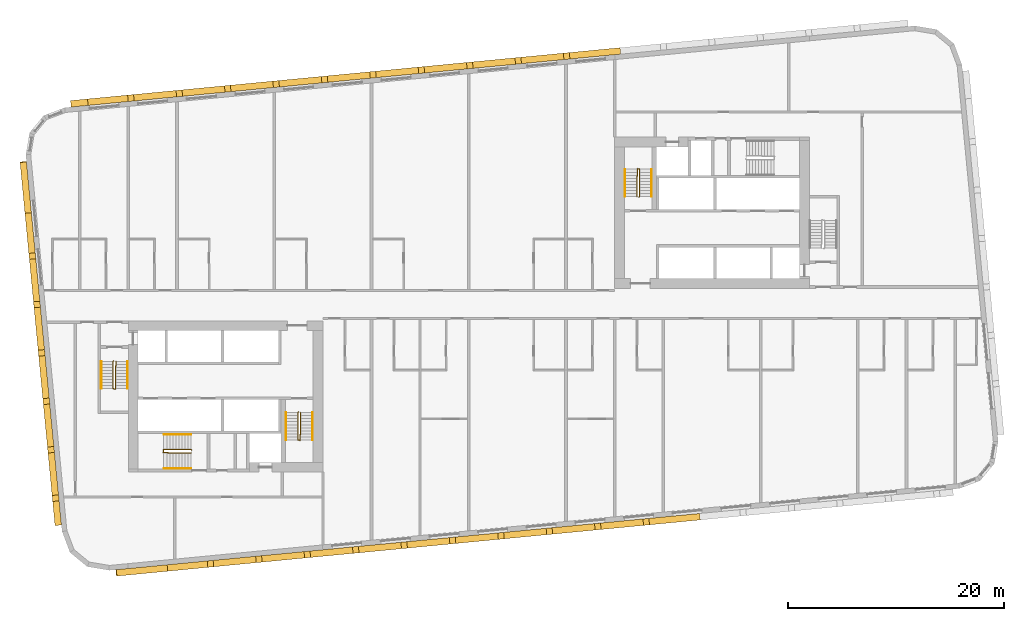
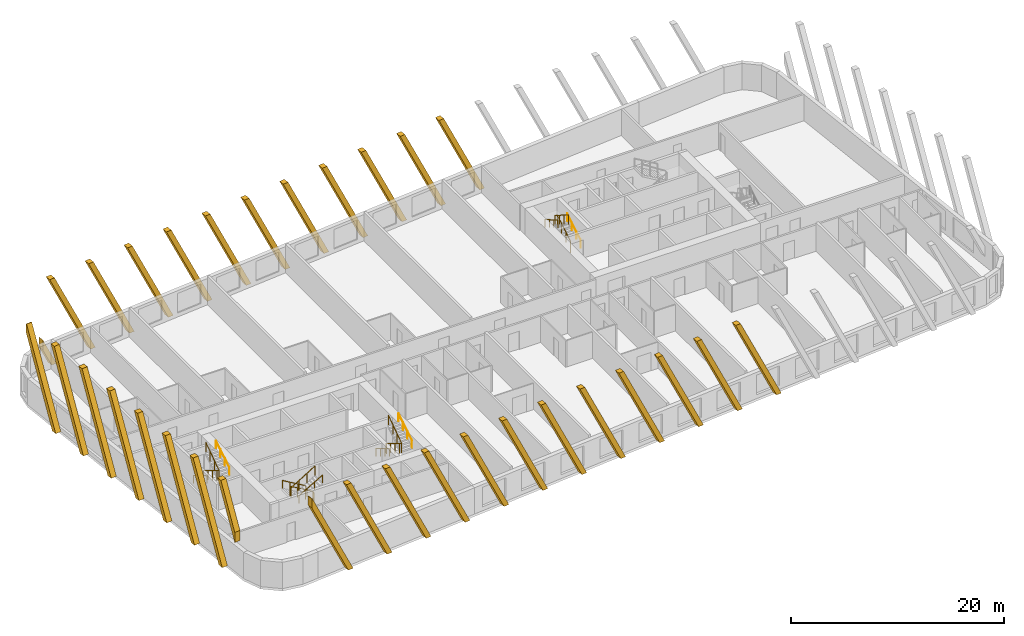
# One storey, part 12 of 13: 32 coverings, 12 railings.
"""IFC4 building model written with IfcOpenShell, lengths in metres."""

from ifc_helpers import new_model, si_unit, direction, frame, origin, origin_2d, place, context, subcontext, project, spatial, polyline, rectangle, circle, outline, extrude, material, material_profile, profile_set, type_object, element, save


model = new_model("IFC4")

# Units and contexts
model_context = context("Model", 3, precision=1e-05, world=origin(), true_north=direction((0.0, 1.0)))
body_context = subcontext(model_context, "Body", "Model", "MODEL_VIEW")
ifc_project = project(units=[si_unit("LENGTHUNIT", "METRE"), si_unit("AREAUNIT", "SQUARE_METRE"), si_unit("VOLUMEUNIT", "CUBIC_METRE"), si_unit("PLANEANGLEUNIT", "RADIAN"), si_unit("MASSUNIT", "GRAM", prefix="KILO")], contexts=[model_context])

# Site, building, storey
site_placement = place(None, origin())
site = spatial("IfcSite", under=ifc_project, at=site_placement, CompositionType="ELEMENT")
building_placement = place(site_placement, origin())
building = spatial("IfcBuilding", under=site, at=building_placement, Name="Kajstack Hotel Tower", CompositionType="ELEMENT")
storey_placement = place(building_placement, frame((0.0, 0.0, 110.800048828125)))
storey = spatial("IfcBuildingStorey", under=building, at=storey_placement, Name="L23", CompositionType="ELEMENT", Elevation=110.800048828125)

# Coverings
ifc_material_1 = material(Name="Terracotta", Category="masonry")
ifc_material_profile = material_profile(ifc_material_1, rectangle(XDim=0.60009765625, YDim=0.5, at=origin_2d()), Name="Terracotta-clad concrete baguette 500 x 600")
ifc_profile_set = profile_set([ifc_material_profile], Name="Terracotta")
covering_type = type_object("IfcCoveringType", Name="BAGUETTE 500x600", PredefinedType="CLADDING", material=ifc_profile_set)
covering_1_placement = place(storey_placement, frame((-40.91943359375, 13.2529296875, 0.0), z_axis=(-0.995381412265, -0.095999188106, 0.0), x_axis=(0.095999188106, -0.995381412265, 0.0)))
element("IfcCovering", 1, at=covering_1_placement, inside=storey, type_object=covering_type, Name="Baguette L23-00-000", PredefinedType="CLADDING", context=body_context, shape_type="SweptSolid", body=[
    extrude(outline(polyline([(0.054931640625, 9.89990234375), (0.0, 9.89990234375), (0.0, 8.853759765625), (4.222900390625, 0.0), (4.777099609375, 0.0), (0.054931640625, 9.89990234375)])), origin(), (0.0, 0.0, 1.0), 0.60009765625),
])
for number, where, z_axis, x_axis, name in (
    (2, (-40.5361328125, 9.270263671875, 0.0), (-0.995416482233, -0.095634862357, 0.0), (0.095634862357, -0.995416482233, 0.0), "Baguette L23-00-004"),
    (3, (-40.104736328125, 4.791015625, 0.0), (-0.995416482233, -0.095634862357, 0.0), (0.095634862357, -0.995416482233, 0.0), "Baguette L23-00-008"),
):
    element("IfcCovering", number, at=place(storey_placement, frame(where, z_axis=z_axis, x_axis=x_axis)), inside=storey, type_object=covering_type, Name=name, PredefinedType="CLADDING", context=body_context, shape_type="SweptSolid", body=[
        extrude(outline(polyline([(0.0, 9.89990234375), (4.72216796875, 0.0), (5.276123046875, 0.0), (0.553955078125, 9.89990234375), (0.0, 9.89990234375)])), origin(), (0.0, 0.0, 1.0), 0.599853515625),
    ])
covering_2_placement = place(storey_placement, frame((-39.67333984375, 0.311767578125, 0.0), z_axis=(-0.995381412265, -0.095999188106, 0.0), x_axis=(0.095999188106, -0.995381412265, 0.0)))
element("IfcCovering", 4, at=covering_2_placement, inside=storey, type_object=covering_type, Name="Baguette L23-00-012", PredefinedType="CLADDING", context=body_context, shape_type="SweptSolid", body=[
    extrude(outline(polyline([(0.0, 9.89990234375), (4.72216796875, 0.0), (5.276123046875, 0.0), (0.553955078125, 9.89990234375), (0.0, 9.89990234375)])), origin(), (0.0, 0.0, 1.0), 0.60009765625),
])
for number, where, z_axis, x_axis, name in (
    (5, (-39.2421875, -4.16748046875, 0.0), (-0.995377661201, -0.096038073607, 0.0), (0.096038073607, -0.995377661201, 0.0), "Baguette L23-00-016"),
    (6, (-38.810791015625, -8.646728515625, 0.0), (-0.995377661201, -0.096038073607, 0.0), (0.096038073607, -0.995377661201, 0.0), "Baguette L23-00-020"),
):
    element("IfcCovering", number, at=place(storey_placement, frame(where, z_axis=z_axis, x_axis=x_axis)), inside=storey, type_object=covering_type, Name=name, PredefinedType="CLADDING", context=body_context, shape_type="SweptSolid", body=[
        extrude(outline(polyline([(0.0, 9.89990234375), (4.72216796875, 0.0), (5.276123046875, 0.0), (0.553955078125, 9.89990234375), (0.0, 9.89990234375)])), origin(), (0.0, 0.0, 1.0), 0.599853515625),
    ])
covering_3_placement = place(storey_placement, frame((-38.37939453125, -13.126220703125, 0.0), z_axis=(-0.995420202011, -0.095596137095, 0.0), x_axis=(0.095596137095, -0.995420202011, 0.0)))
element("IfcCovering", 7, at=covering_3_placement, inside=storey, type_object=covering_type, Name="Baguette L23-00-024", PredefinedType="CLADDING", context=body_context, shape_type="SweptSolid", body=[
    extrude(outline(polyline([(0.0, 9.89990234375), (4.72216796875, 0.0), (5.276123046875, 0.0), (0.553955078125, 9.89990234375), (0.0, 9.89990234375)])), origin(), (0.0, 0.0, 1.0), 0.60009765625),
])
covering_4_placement = place(storey_placement, frame((-37.9482421875, -17.60546875, 0.0), z_axis=(-0.995416482233, -0.095634862357, 0.0), x_axis=(0.095634862357, -0.995416482233, 0.0)))
element("IfcCovering", 8, at=covering_4_placement, inside=storey, type_object=covering_type, Name="Baguette L23-00-028", PredefinedType="CLADDING", context=body_context, shape_type="SweptSolid", body=[
    extrude(outline(polyline([(0.0, 9.89990234375), (2.798828125, 4.031982421875), (2.798828125, 5.193359375), (0.553955078125, 9.89990234375), (0.0, 9.89990234375)])), origin(), (0.0, 0.0, 1.0), 0.599853515625),
])
covering_5_placement = place(storey_placement, frame((-32.66015625, -24.529296875, 0.0), z_axis=(0.095596137095, -0.995420202011, 0.0), x_axis=(0.995420202011, 0.095596137095, 0.0)))
element("IfcCovering", 9, at=covering_5_placement, inside=storey, type_object=covering_type, Name="Baguette L23-04-000", PredefinedType="CLADDING", context=body_context, shape_type="SweptSolid", body=[
    extrude(outline(polyline([(0.054931640625, 9.89990234375), (0.0, 9.89990234375), (0.0, 8.853759765625), (4.222900390625, 0.0), (4.777099609375, 0.0), (0.054931640625, 9.89990234375)])), origin(), (0.0, 0.0, 1.0), 0.60009765625),
])
for number, where, z_axis, x_axis, name in (
    (10, (-28.677734375, -24.14599609375, 0.0), (0.096038073607, -0.995377661201, 0.0), (0.995377661201, 0.096038073607, 0.0), "Baguette L23-04-004"),
    (11, (-24.198486328125, -23.714599609375, 0.0), (0.096038073607, -0.995377661201, 0.0), (0.995377661201, 0.096038073607, 0.0), "Baguette L23-04-008"),
):
    element("IfcCovering", number, at=place(storey_placement, frame(where, z_axis=z_axis, x_axis=x_axis)), inside=storey, type_object=covering_type, Name=name, PredefinedType="CLADDING", context=body_context, shape_type="SweptSolid", body=[
        extrude(outline(polyline([(0.0, 9.89990234375), (4.72216796875, 0.0), (5.276123046875, 0.0), (0.553955078125, 9.89990234375), (0.0, 9.89990234375)])), origin(), (0.0, 0.0, 1.0), 0.599853515625),
    ])
covering_6_placement = place(storey_placement, frame((-19.71923828125, -23.283203125, 0.0), z_axis=(0.095999188106, -0.995381412265, 0.0), x_axis=(0.995381412265, 0.095999188106, 0.0)))
element("IfcCovering", 12, at=covering_6_placement, inside=storey, type_object=covering_type, Name="Baguette L23-04-012", PredefinedType="CLADDING", context=body_context, shape_type="SweptSolid", body=[
    extrude(outline(polyline([(0.0, 9.89990234375), (4.72216796875, 0.0), (5.276123046875, 0.0), (0.553955078125, 9.89990234375), (0.0, 9.89990234375)])), origin(), (0.0, 0.0, 1.0), 0.60009765625),
])
for number, where, z_axis, x_axis, name in (
    (13, (-15.239990234375, -22.85205078125, 0.0), (0.096038073607, -0.995377661201, 0.0), (0.995377661201, 0.096038073607, 0.0), "Baguette L23-04-016"),
    (14, (-10.760498046875, -22.420654296875, 0.0), (0.095634862357, -0.995416482233, 0.0), (0.995416482233, 0.095634862357, 0.0), "Baguette L23-04-020"),
    (15, (-6.28125, -21.989501953125, 0.0), (0.095634862357, -0.995416482233, 0.0), (0.995416482233, 0.095634862357, 0.0), "Baguette L23-04-024"),
    (16, (-1.802001953125, -21.55810546875, 0.0), (0.095634862357, -0.995416482233, 0.0), (0.995416482233, 0.095634862357, 0.0), "Baguette L23-04-028"),
):
    element("IfcCovering", number, at=place(storey_placement, frame(where, z_axis=z_axis, x_axis=x_axis)), inside=storey, type_object=covering_type, Name=name, PredefinedType="CLADDING", context=body_context, shape_type="SweptSolid", body=[
        extrude(outline(polyline([(0.0, 9.89990234375), (4.72216796875, 0.0), (5.276123046875, 0.0), (0.553955078125, 9.89990234375), (0.0, 9.89990234375)])), origin(), (0.0, 0.0, 1.0), 0.599853515625),
    ])
covering_7_placement = place(storey_placement, frame((2.67724609375, -21.126708984375, 0.0), z_axis=(0.095999188106, -0.995381412265, 0.0), x_axis=(0.995381412265, 0.095999188106, 0.0)))
element("IfcCovering", 17, at=covering_7_placement, inside=storey, type_object=covering_type, Name="Baguette L23-04-032", PredefinedType="CLADDING", context=body_context, shape_type="SweptSolid", body=[
    extrude(outline(polyline([(0.0, 9.89990234375), (4.72216796875, 0.0), (5.276123046875, 0.0), (0.553955078125, 9.89990234375), (0.0, 9.89990234375)])), origin(), (0.0, 0.0, 1.0), 0.60009765625),
])
for number, where, z_axis, x_axis, name in (
    (18, (7.156494140625, -20.695556640625, 0.0), (0.096038073607, -0.995377661201, 0.0), (0.995377661201, 0.096038073607, 0.0), "Baguette L23-04-036"),
    (19, (11.6357421875, -20.26416015625, 0.0), (0.096038073607, -0.995377661201, 0.0), (0.995377661201, 0.096038073607, 0.0), "Baguette L23-04-040"),
):
    element("IfcCovering", number, at=place(storey_placement, frame(where, z_axis=z_axis, x_axis=x_axis)), inside=storey, type_object=covering_type, Name=name, PredefinedType="CLADDING", context=body_context, shape_type="SweptSolid", body=[
        extrude(outline(polyline([(0.0, 9.89990234375), (4.72216796875, 0.0), (5.276123046875, 0.0), (0.553955078125, 9.89990234375), (0.0, 9.89990234375)])), origin(), (0.0, 0.0, 1.0), 0.599853515625),
    ])
covering_8_placement = place(storey_placement, frame((16.114990234375, -19.832763671875, 0.0), z_axis=(0.095999188106, -0.995381412265, 0.0), x_axis=(0.995381412265, 0.095999188106, 0.0)))
element("IfcCovering", 20, at=covering_8_placement, inside=storey, type_object=covering_type, Name="Baguette L23-04-044", PredefinedType="CLADDING", context=body_context, shape_type="SweptSolid", body=[
    extrude(outline(polyline([(0.0, 9.89990234375), (4.72216796875, 0.0), (5.276123046875, 0.0), (0.553955078125, 9.89990234375), (0.0, 9.89990234375)])), origin(), (0.0, 0.0, 1.0), 0.60009765625),
])
for number, where, z_axis, x_axis, name in (
    (21, (14.060302734375, 23.168212890625, 0.0), (-0.096038073607, 0.995377661201, 0.0), (-0.995377661201, -0.096038073607, 0.0), "Baguette L23-12-024"),
    (22, (9.5810546875, 22.73681640625, 0.0), (-0.096038073607, 0.995377661201, 0.0), (-0.995377661201, -0.096038073607, 0.0), "Baguette L23-12-028"),
):
    element("IfcCovering", number, at=place(storey_placement, frame(where, z_axis=z_axis, x_axis=x_axis)), inside=storey, type_object=covering_type, Name=name, PredefinedType="CLADDING", context=body_context, shape_type="SweptSolid", body=[
        extrude(outline(polyline([(4.72216796875, 9.89990234375), (0.0, 0.0), (0.553955078125, 0.0), (5.276123046875, 9.89990234375), (4.72216796875, 9.89990234375)])), origin(), (0.0, 0.0, 1.0), 0.599853515625),
    ])
covering_9_placement = place(storey_placement, frame((5.101806640625, 22.305419921875, 0.0), z_axis=(-0.095999188106, 0.995381412265, 0.0), x_axis=(-0.995381412265, -0.095999188106, 0.0)))
element("IfcCovering", 23, at=covering_9_placement, inside=storey, type_object=covering_type, Name="Baguette L23-12-032", PredefinedType="CLADDING", context=body_context, shape_type="SweptSolid", body=[
    extrude(outline(polyline([(4.72216796875, 9.89990234375), (0.0, 0.0), (0.553955078125, 0.0), (5.276123046875, 9.89990234375), (4.72216796875, 9.89990234375)])), origin(), (0.0, 0.0, 1.0), 0.60009765625),
])
for number, where, z_axis, x_axis, name in (
    (24, (0.622314453125, 21.874267578125, 0.0), (-0.095634862357, 0.995416482233, 0.0), (-0.995416482233, -0.095634862357, 0.0), "Baguette L23-12-036"),
    (25, (-3.85693359375, 21.44287109375, 0.0), (-0.095634862357, 0.995416482233, 0.0), (-0.995416482233, -0.095634862357, 0.0), "Baguette L23-12-040"),
):
    element("IfcCovering", number, at=place(storey_placement, frame(where, z_axis=z_axis, x_axis=x_axis)), inside=storey, type_object=covering_type, Name=name, PredefinedType="CLADDING", context=body_context, shape_type="SweptSolid", body=[
        extrude(outline(polyline([(4.72216796875, 9.89990234375), (0.0, 0.0), (0.553955078125, 0.0), (5.276123046875, 9.89990234375), (4.72216796875, 9.89990234375)])), origin(), (0.0, 0.0, 1.0), 0.599853515625),
    ])
covering_10_placement = place(storey_placement, frame((-8.336181640625, 21.011474609375, 0.0), z_axis=(-0.095596137095, 0.995420202011, 0.0), x_axis=(-0.995420202011, -0.095596137095, 0.0)))
element("IfcCovering", 26, at=covering_10_placement, inside=storey, type_object=covering_type, Name="Baguette L23-12-044", PredefinedType="CLADDING", context=body_context, shape_type="SweptSolid", body=[
    extrude(outline(polyline([(4.72216796875, 9.89990234375), (0.0, 0.0), (0.553955078125, 0.0), (5.276123046875, 9.89990234375), (4.72216796875, 9.89990234375)])), origin(), (0.0, 0.0, 1.0), 0.60009765625),
])
for number, where, z_axis, x_axis, name in (
    (27, (-12.8154296875, 20.580322265625, 0.0), (-0.096038073607, 0.995377661201, 0.0), (-0.995377661201, -0.096038073607, 0.0), "Baguette L23-12-048"),
    (28, (-17.294677734375, 20.14892578125, 0.0), (-0.096038073607, 0.995377661201, 0.0), (-0.995377661201, -0.096038073607, 0.0), "Baguette L23-12-052"),
    (29, (-21.77392578125, 19.7177734375, 0.0), (-0.096038073607, 0.995377661201, 0.0), (-0.995377661201, -0.096038073607, 0.0), "Baguette L23-12-056"),
    (30, (-26.253173828125, 19.286376953125, 0.0), (-0.096038073607, 0.995377661201, 0.0), (-0.995377661201, -0.096038073607, 0.0), "Baguette L23-12-060"),
):
    element("IfcCovering", number, at=place(storey_placement, frame(where, z_axis=z_axis, x_axis=x_axis)), inside=storey, type_object=covering_type, Name=name, PredefinedType="CLADDING", context=body_context, shape_type="SweptSolid", body=[
        extrude(outline(polyline([(4.72216796875, 9.89990234375), (0.0, 0.0), (0.553955078125, 0.0), (5.276123046875, 9.89990234375), (4.72216796875, 9.89990234375)])), origin(), (0.0, 0.0, 1.0), 0.599853515625),
    ])
covering_11_placement = place(storey_placement, frame((-30.732666015625, 18.85498046875, 0.0), z_axis=(-0.095596137095, 0.995420202011, 0.0), x_axis=(-0.995420202011, -0.095596137095, 0.0)))
element("IfcCovering", 31, at=covering_11_placement, inside=storey, type_object=covering_type, Name="Baguette L23-12-064", PredefinedType="CLADDING", context=body_context, shape_type="SweptSolid", body=[
    extrude(outline(polyline([(4.72216796875, 9.89990234375), (0.0, 0.0), (0.553955078125, 0.0), (5.276123046875, 9.89990234375), (4.72216796875, 9.89990234375)])), origin(), (0.0, 0.0, 1.0), 0.60009765625),
])
covering_12_placement = place(storey_placement, frame((-35.2119140625, 18.423828125, 0.0), z_axis=(-0.095634862357, 0.995416482233, 0.0), x_axis=(-0.995416482233, -0.095634862357, 0.0)))
element("IfcCovering", 32, at=covering_12_placement, inside=storey, type_object=covering_type, Name="Baguette L23-12-068", PredefinedType="CLADDING", context=body_context, shape_type="SweptSolid", body=[
    extrude(outline(polyline([(0.553955078125, 0.0), (1.576904296875, 2.144775390625), (1.576904296875, 3.30615234375), (0.0, 0.0), (0.553955078125, 0.0)])), origin(), (0.0, 0.0, 1.0), 0.599853515625),
])

# Railings
ifc_material_2 = material(Name="Steel S355J2", Category="steel")
railing_type_1 = type_object("IfcRailingType", Name="Stair guard 1100", PredefinedType="GUARDRAIL", material=ifc_material_2)
railing_1_placement = place(storey_placement, frame((-32.85009765625, -5.199951171875, 0.0)))
element("IfcRailing", 33, at=railing_1_placement, inside=storey, type_object=railing_type_1, Name="L23 W1 stair guard 1", PredefinedType="GUARDRAIL", context=body_context, shape_type="SweptSolid", body=[
    extrude(circle(Radius=0.02392578125, at=origin_2d()), frame((0.0, 0.0, 1.076171875), z_axis=(-0.277450376394, -0.278810427259, 0.919394384522), x_axis=(0.708833529934, -0.705375805398, 0.0)), (0.0, 0.0, 1.0), 0.179443359375),
    extrude(circle(Radius=0.02392578125, at=origin_2d()), frame((-0.0498046875, -0.050048828125, 1.2412109375), z_axis=(0.0, -0.861560626758, 0.507654692109), x_axis=(1.0, 0.0, 0.0)), (0.0, 0.0, 1.0), 2.925048828125),
    extrude(circle(Radius=0.02392578125, at=origin_2d()), frame((-0.0498046875, -2.570068359375, 2.72607421875), z_axis=(0.970072785993, -0.242814311512, 0.0), x_axis=(0.242814311512, 0.970072785993, 0.0)), (0.0, 0.0, 1.0), 0.2060546875),
    extrude(circle(Radius=0.02392578125, at=origin_2d()), frame((0.150146484375, -2.6201171875, 2.72607421875), z_axis=(0.016384601254, 0.84136925563, 0.540212292087), x_axis=(-0.999810440751, 0.019470042781, 0.0)), (0.0, 0.0, 1.0), 3.0546875),
    extrude(circle(Radius=0.02099609375, at=origin_2d()), origin(), (0.0, 0.0, 1.0), 1.052001953125),
    extrude(circle(Radius=0.02099609375, at=origin_2d()), frame((-0.0498046875, -0.050048828125, 0.1650390625)), (0.0, 0.0, 1.0), 1.052001953125),
    extrude(circle(Radius=0.02099609375, at=origin_2d()), frame((-0.0498046875, -0.89013671875, 0.659912109375)), (0.0, 0.0, 1.0), 1.052001953125),
    extrude(circle(Radius=0.02099609375, at=origin_2d()), frame((-0.0498046875, -1.72998046875, 1.155029296875)), (0.0, 0.0, 1.0), 1.052001953125),
    extrude(circle(Radius=0.02099609375, at=origin_2d()), frame((-0.0498046875, -2.570068359375, 1.64990234375)), (0.0, 0.0, 1.0), 1.052001953125),
    extrude(circle(Radius=0.02099609375, at=origin_2d()), frame((0.150146484375, -2.6201171875, 1.64990234375)), (0.0, 0.0, 1.0), 1.052001953125),
    extrude(circle(Radius=0.02099609375, at=origin_2d()), frame((0.166748046875, -1.763427734375, 2.199951171875)), (0.0, 0.0, 1.0), 1.052001953125),
    extrude(circle(Radius=0.02099609375, at=origin_2d()), frame((0.18359375, -0.90673828125, 2.75)), (0.0, 0.0, 1.0), 1.052001953125),
    extrude(circle(Radius=0.02099609375, at=origin_2d()), frame((0.2001953125, -0.050048828125, 3.300048828125)), (0.0, 0.0, 1.0), 1.052001953125),
])
railing_2_placement = place(storey_placement, frame((-15.75, -9.949951171875, 0.0)))
element("IfcRailing", 34, at=railing_2_placement, inside=storey, type_object=railing_type_1, Name="L23 W2 stair guard 1", PredefinedType="GUARDRAIL", context=body_context, shape_type="SweptSolid", body=[
    extrude(circle(Radius=0.02392578125, at=origin_2d()), frame((0.0, 0.0, 1.076171875), z_axis=(-0.278705021027, -0.278705021027, 0.919046801044), x_axis=(0.707106781187, -0.707106781187, 0.0)), (0.0, 0.0, 1.0), 0.1796875),
    extrude(circle(Radius=0.02392578125, at=origin_2d()), frame((-0.050048828125, -0.050048828125, 1.2412109375), z_axis=(0.0, -0.861560626758, 0.507654692109), x_axis=(1.0, 0.0, 0.0)), (0.0, 0.0, 1.0), 2.925048828125),
    extrude(circle(Radius=0.02392578125, at=origin_2d()), frame((-0.050048828125, -2.570068359375, 2.72607421875), z_axis=(0.970072785993, -0.242814311512, 0.0), x_axis=(0.242814311512, 0.970072785993, 0.0)), (0.0, 0.0, 1.0), 0.2060546875),
    extrude(circle(Radius=0.02392578125, at=origin_2d()), frame((0.14990234375, -2.6201171875, 2.72607421875), z_axis=(0.016384601254, 0.84136925563, 0.540212292087), x_axis=(-0.999810440751, 0.019470042781, 0.0)), (0.0, 0.0, 1.0), 3.0546875),
    extrude(circle(Radius=0.02099609375, at=origin_2d()), origin(), (0.0, 0.0, 1.0), 1.052001953125),
    extrude(circle(Radius=0.02099609375, at=origin_2d()), frame((-0.050048828125, -0.050048828125, 0.1650390625)), (0.0, 0.0, 1.0), 1.052001953125),
    extrude(circle(Radius=0.02099609375, at=origin_2d()), frame((-0.050048828125, -0.89013671875, 0.659912109375)), (0.0, 0.0, 1.0), 1.052001953125),
    extrude(circle(Radius=0.02099609375, at=origin_2d()), frame((-0.050048828125, -1.72998046875, 1.155029296875)), (0.0, 0.0, 1.0), 1.052001953125),
    extrude(circle(Radius=0.02099609375, at=origin_2d()), frame((-0.050048828125, -2.570068359375, 1.64990234375)), (0.0, 0.0, 1.0), 1.052001953125),
    extrude(circle(Radius=0.02099609375, at=origin_2d()), frame((0.14990234375, -2.6201171875, 1.64990234375)), (0.0, 0.0, 1.0), 1.052001953125),
    extrude(circle(Radius=0.02099609375, at=origin_2d()), frame((0.16650390625, -1.763427734375, 2.199951171875)), (0.0, 0.0, 1.0), 1.052001953125),
    extrude(circle(Radius=0.02099609375, at=origin_2d()), frame((0.183349609375, -0.90673828125, 2.75)), (0.0, 0.0, 1.0), 1.052001953125),
    extrude(circle(Radius=0.02099609375, at=origin_2d()), frame((0.199951171875, -0.050048828125, 3.300048828125)), (0.0, 0.0, 1.0), 1.052001953125),
])
railing_3_placement = place(storey_placement, frame((-25.64990234375, -13.449951171875, 0.0)))
element("IfcRailing", 35, at=railing_3_placement, inside=storey, type_object=railing_type_1, Name="L23 W3 stair guard 1", PredefinedType="GUARDRAIL", context=body_context, shape_type="SweptSolid", body=[
    extrude(circle(Radius=0.02392578125, at=origin_2d()), frame((0.0, 0.0, 1.076171875), z_axis=(-0.278705021027, 0.278705021027, 0.919046801044), x_axis=(-0.707106781187, -0.707106781187, 0.0)), (0.0, 0.0, 1.0), 0.1796875),
    extrude(circle(Radius=0.02392578125, at=origin_2d()), frame((-0.050048828125, 0.050048828125, 1.2412109375), z_axis=(-0.861560626758, 0.0, 0.507654692109), x_axis=(0.0, -1.0, 0.0)), (0.0, 0.0, 1.0), 2.925048828125),
    extrude(circle(Radius=0.02392578125, at=origin_2d()), frame((-2.570068359375, 0.050048828125, 2.72607421875), z_axis=(-0.164529134168, -0.986372223864, 0.0), x_axis=(0.986372223864, -0.164529134168, 0.0)), (0.0, 0.0, 1.0), 0.30419921875),
    extrude(circle(Radius=0.02392578125, at=origin_2d()), frame((-2.6201171875, -0.25, 2.72607421875), z_axis=(0.84136925563, -0.016384601254, 0.540212292087), x_axis=(0.019470042781, 0.999810440751, 0.0)), (0.0, 0.0, 1.0), 3.0546875),
    extrude(circle(Radius=0.02099609375, at=origin_2d()), origin(), (0.0, 0.0, 1.0), 1.052001953125),
    extrude(circle(Radius=0.02099609375, at=origin_2d()), frame((-0.050048828125, 0.050048828125, 0.1650390625)), (0.0, 0.0, 1.0), 1.052001953125),
    extrude(circle(Radius=0.02099609375, at=origin_2d()), frame((-0.89013671875, 0.050048828125, 0.659912109375)), (0.0, 0.0, 1.0), 1.052001953125),
    extrude(circle(Radius=0.02099609375, at=origin_2d()), frame((-1.72998046875, 0.050048828125, 1.155029296875)), (0.0, 0.0, 1.0), 1.052001953125),
    extrude(circle(Radius=0.02099609375, at=origin_2d()), frame((-2.570068359375, 0.050048828125, 1.64990234375)), (0.0, 0.0, 1.0), 1.052001953125),
    extrude(circle(Radius=0.02099609375, at=origin_2d()), frame((-2.6201171875, -0.25, 1.64990234375)), (0.0, 0.0, 1.0), 1.052001953125),
    extrude(circle(Radius=0.02099609375, at=origin_2d()), frame((-1.763427734375, -0.2666015625, 2.199951171875)), (0.0, 0.0, 1.0), 1.052001953125),
    extrude(circle(Radius=0.02099609375, at=origin_2d()), frame((-0.90673828125, -0.283447265625, 2.75)), (0.0, 0.0, 1.0), 1.052001953125),
    extrude(circle(Radius=0.02099609375, at=origin_2d()), frame((-0.050048828125, -0.300048828125, 3.300048828125)), (0.0, 0.0, 1.0), 1.052001953125),
])
railing_4_placement = place(storey_placement, frame((15.75, 9.949951171875, 0.0)))
element("IfcRailing", 36, at=railing_4_placement, inside=storey, type_object=railing_type_1, Name="L23 E2 stair guard 1", PredefinedType="GUARDRAIL", context=body_context, shape_type="SweptSolid", body=[
    extrude(circle(Radius=0.02392578125, at=origin_2d()), frame((0.0, 0.0, 1.076171875), z_axis=(0.278705021027, 0.278705021027, 0.919046801044), x_axis=(-0.707106781187, 0.707106781187, 0.0)), (0.0, 0.0, 1.0), 0.1796875),
    extrude(circle(Radius=0.02392578125, at=origin_2d()), frame((0.050048828125, 0.050048828125, 1.2412109375), z_axis=(0.0, 0.861560626758, 0.507654692109), x_axis=(-1.0, 0.0, 0.0)), (0.0, 0.0, 1.0), 2.925048828125),
    extrude(circle(Radius=0.02392578125, at=origin_2d()), frame((0.050048828125, 2.570068359375, 2.72607421875), z_axis=(-0.970072785993, 0.242814311512, 0.0), x_axis=(-0.242814311512, -0.970072785993, 0.0)), (0.0, 0.0, 1.0), 0.2060546875),
    extrude(circle(Radius=0.02392578125, at=origin_2d()), frame((-0.14990234375, 2.6201171875, 2.72607421875), z_axis=(-0.016384601254, -0.84136925563, 0.540212292087), x_axis=(0.999810440751, -0.019470042781, 0.0)), (0.0, 0.0, 1.0), 3.0546875),
    extrude(circle(Radius=0.02099609375, at=origin_2d()), origin(), (0.0, 0.0, 1.0), 1.052001953125),
    extrude(circle(Radius=0.02099609375, at=origin_2d()), frame((0.050048828125, 0.050048828125, 0.1650390625)), (0.0, 0.0, 1.0), 1.052001953125),
    extrude(circle(Radius=0.02099609375, at=origin_2d()), frame((0.050048828125, 0.89013671875, 0.659912109375)), (0.0, 0.0, 1.0), 1.052001953125),
    extrude(circle(Radius=0.02099609375, at=origin_2d()), frame((0.050048828125, 1.72998046875, 1.155029296875)), (0.0, 0.0, 1.0), 1.052001953125),
    extrude(circle(Radius=0.02099609375, at=origin_2d()), frame((0.050048828125, 2.570068359375, 1.64990234375)), (0.0, 0.0, 1.0), 1.052001953125),
    extrude(circle(Radius=0.02099609375, at=origin_2d()), frame((-0.14990234375, 2.6201171875, 1.64990234375)), (0.0, 0.0, 1.0), 1.052001953125),
    extrude(circle(Radius=0.02099609375, at=origin_2d()), frame((-0.16650390625, 1.763427734375, 2.199951171875)), (0.0, 0.0, 1.0), 1.052001953125),
    extrude(circle(Radius=0.02099609375, at=origin_2d()), frame((-0.183349609375, 0.90673828125, 2.75)), (0.0, 0.0, 1.0), 1.052001953125),
    extrude(circle(Radius=0.02099609375, at=origin_2d()), frame((-0.199951171875, 0.050048828125, 3.300048828125)), (0.0, 0.0, 1.0), 1.052001953125),
])
railing_type_2 = type_object("IfcRailingType", Name="Stair handrail 900", PredefinedType="HANDRAIL", material=ifc_material_2)
railing_5_placement = place(storey_placement, frame((-34.0, -5.25, 0.1650390625)))
element("IfcRailing", 37, at=railing_5_placement, inside=storey, type_object=railing_type_2, Name="L23 W1 stair handrail 1", PredefinedType="HANDRAIL", context=body_context, shape_type="SweptSolid", body=[
    extrude(circle(Radius=0.02392578125, at=origin_2d()), frame((0.0, 0.0, 0.8759765625), z_axis=(0.0, -0.861560626758, 0.507654692109), x_axis=(1.0, 0.0, 0.0)), (0.0, 0.0, 1.0), 2.925048828125),
    extrude(circle(Radius=0.02099609375, at=origin_2d()), origin(), (0.0, 0.0, 1.0), 0.851806640625),
    extrude(circle(Radius=0.02099609375, at=origin_2d()), frame((0.0, -0.840087890625, 0.494873046875)), (0.0, 0.0, 1.0), 0.851806640625),
    extrude(circle(Radius=0.02099609375, at=origin_2d()), frame((0.0, -1.679931640625, 0.989990234375)), (0.0, 0.0, 1.0), 0.851806640625),
    extrude(circle(Radius=0.02099609375, at=origin_2d()), frame((0.0, -2.52001953125, 1.48486328125)), (0.0, 0.0, 1.0), 0.851806640625),
])
railing_6_placement = place(storey_placement, frame((-31.550048828125, -7.77001953125, 1.81494140625)))
element("IfcRailing", 38, at=railing_6_placement, inside=storey, type_object=railing_type_2, Name="L23 W1 stair handrail 2", PredefinedType="HANDRAIL", context=body_context, shape_type="SweptSolid", body=[
    extrude(circle(Radius=0.02392578125, at=origin_2d()), frame((0.0, 0.0, 0.8759765625), z_axis=(0.0, 0.86152411907, 0.507716645641), x_axis=(-1.0, 0.0, 0.0)), (0.0, 0.0, 1.0), 2.925048828125),
    extrude(circle(Radius=0.02099609375, at=origin_2d()), origin(), (0.0, 0.0, 1.0), 0.851806640625),
    extrude(circle(Radius=0.02099609375, at=origin_2d()), frame((0.0, 0.840087890625, 0.4951171875)), (0.0, 0.0, 1.0), 0.851806640625),
    extrude(circle(Radius=0.02099609375, at=origin_2d()), frame((0.0, 1.679931640625, 0.989990234375)), (0.0, 0.0, 1.0), 0.851806640625),
    extrude(circle(Radius=0.02099609375, at=origin_2d()), frame((0.0, 2.52001953125, 1.485107421875)), (0.0, 0.0, 1.0), 0.851806640625),
])
railing_7_placement = place(storey_placement, frame((-16.89990234375, -10.0, 0.1650390625)))
element("IfcRailing", 39, at=railing_7_placement, inside=storey, type_object=railing_type_2, Name="L23 W2 stair handrail 1", PredefinedType="HANDRAIL", context=body_context, shape_type="SweptSolid", body=[
    extrude(circle(Radius=0.02392578125, at=origin_2d()), frame((0.0, 0.0, 0.8759765625), z_axis=(0.0, -0.861560626758, 0.507654692109), x_axis=(1.0, 0.0, 0.0)), (0.0, 0.0, 1.0), 2.925048828125),
    extrude(circle(Radius=0.02099609375, at=origin_2d()), origin(), (0.0, 0.0, 1.0), 0.851806640625),
    extrude(circle(Radius=0.02099609375, at=origin_2d()), frame((0.0, -0.840087890625, 0.494873046875)), (0.0, 0.0, 1.0), 0.851806640625),
    extrude(circle(Radius=0.02099609375, at=origin_2d()), frame((0.0, -1.679931640625, 0.989990234375)), (0.0, 0.0, 1.0), 0.851806640625),
    extrude(circle(Radius=0.02099609375, at=origin_2d()), frame((0.0, -2.52001953125, 1.48486328125)), (0.0, 0.0, 1.0), 0.851806640625),
])
railing_8_placement = place(storey_placement, frame((-14.449951171875, -12.52001953125, 1.81494140625)))
element("IfcRailing", 40, at=railing_8_placement, inside=storey, type_object=railing_type_2, Name="L23 W2 stair handrail 2", PredefinedType="HANDRAIL", context=body_context, shape_type="SweptSolid", body=[
    extrude(circle(Radius=0.02392578125, at=origin_2d()), frame((0.0, 0.0, 0.8759765625), z_axis=(0.0, 0.86152411907, 0.507716645641), x_axis=(-1.0, 0.0, 0.0)), (0.0, 0.0, 1.0), 2.925048828125),
    extrude(circle(Radius=0.02099609375, at=origin_2d()), origin(), (0.0, 0.0, 1.0), 0.851806640625),
    extrude(circle(Radius=0.02099609375, at=origin_2d()), frame((0.0, 0.840087890625, 0.4951171875)), (0.0, 0.0, 1.0), 0.851806640625),
    extrude(circle(Radius=0.02099609375, at=origin_2d()), frame((0.0, 1.679931640625, 0.989990234375)), (0.0, 0.0, 1.0), 0.851806640625),
    extrude(circle(Radius=0.02099609375, at=origin_2d()), frame((0.0, 2.52001953125, 1.485107421875)), (0.0, 0.0, 1.0), 0.851806640625),
])
railing_9_placement = place(storey_placement, frame((-25.699951171875, -12.0, 0.1650390625)))
element("IfcRailing", 41, at=railing_9_placement, inside=storey, type_object=railing_type_2, Name="L23 W3 stair handrail 1", PredefinedType="HANDRAIL", context=body_context, shape_type="SweptSolid", body=[
    extrude(circle(Radius=0.02392578125, at=origin_2d()), frame((0.0, 0.0, 0.8759765625), z_axis=(-0.861560626758, 0.0, 0.507654692109), x_axis=(0.0, -1.0, 0.0)), (0.0, 0.0, 1.0), 2.925048828125),
    extrude(circle(Radius=0.02099609375, at=origin_2d()), origin(), (0.0, 0.0, 1.0), 0.851806640625),
    extrude(circle(Radius=0.02099609375, at=origin_2d()), frame((-0.840087890625, 0.0, 0.494873046875)), (0.0, 0.0, 1.0), 0.851806640625),
    extrude(circle(Radius=0.02099609375, at=origin_2d()), frame((-1.679931640625, 0.0, 0.989990234375)), (0.0, 0.0, 1.0), 0.851806640625),
    extrude(circle(Radius=0.02099609375, at=origin_2d()), frame((-2.52001953125, 0.0, 1.48486328125)), (0.0, 0.0, 1.0), 0.851806640625),
])
railing_10_placement = place(storey_placement, frame((-28.219970703125, -15.14990234375, 1.81494140625)))
element("IfcRailing", 42, at=railing_10_placement, inside=storey, type_object=railing_type_2, Name="L23 W3 stair handrail 2", PredefinedType="HANDRAIL", context=body_context, shape_type="SweptSolid", body=[
    extrude(circle(Radius=0.02392578125, at=origin_2d()), frame((0.0, 0.0, 0.8759765625), z_axis=(0.86152411907, 0.0, 0.507716645641), x_axis=(0.0, 1.0, 0.0)), (0.0, 0.0, 1.0), 2.925048828125),
    extrude(circle(Radius=0.02099609375, at=origin_2d()), origin(), (0.0, 0.0, 1.0), 0.851806640625),
    extrude(circle(Radius=0.02099609375, at=origin_2d()), frame((0.840087890625, 0.0, 0.4951171875)), (0.0, 0.0, 1.0), 0.851806640625),
    extrude(circle(Radius=0.02099609375, at=origin_2d()), frame((1.679931640625, 0.0, 0.989990234375)), (0.0, 0.0, 1.0), 0.851806640625),
    extrude(circle(Radius=0.02099609375, at=origin_2d()), frame((2.52001953125, 0.0, 1.485107421875)), (0.0, 0.0, 1.0), 0.851806640625),
])
railing_11_placement = place(storey_placement, frame((16.89990234375, 10.0, 0.1650390625)))
element("IfcRailing", 43, at=railing_11_placement, inside=storey, type_object=railing_type_2, Name="L23 E2 stair handrail 1", PredefinedType="HANDRAIL", context=body_context, shape_type="SweptSolid", body=[
    extrude(circle(Radius=0.02392578125, at=origin_2d()), frame((0.0, 0.0, 0.8759765625), z_axis=(0.0, 0.861560626758, 0.507654692109), x_axis=(-1.0, 0.0, 0.0)), (0.0, 0.0, 1.0), 2.925048828125),
    extrude(circle(Radius=0.02099609375, at=origin_2d()), origin(), (0.0, 0.0, 1.0), 0.851806640625),
    extrude(circle(Radius=0.02099609375, at=origin_2d()), frame((0.0, 0.840087890625, 0.494873046875)), (0.0, 0.0, 1.0), 0.851806640625),
    extrude(circle(Radius=0.02099609375, at=origin_2d()), frame((0.0, 1.679931640625, 0.989990234375)), (0.0, 0.0, 1.0), 0.851806640625),
    extrude(circle(Radius=0.02099609375, at=origin_2d()), frame((0.0, 2.52001953125, 1.48486328125)), (0.0, 0.0, 1.0), 0.851806640625),
])
railing_12_placement = place(storey_placement, frame((14.449951171875, 12.52001953125, 1.81494140625)))
element("IfcRailing", 44, at=railing_12_placement, inside=storey, type_object=railing_type_2, Name="L23 E2 stair handrail 2", PredefinedType="HANDRAIL", context=body_context, shape_type="SweptSolid", body=[
    extrude(circle(Radius=0.02392578125, at=origin_2d()), frame((0.0, 0.0, 0.8759765625), z_axis=(0.0, -0.86152411907, 0.507716645641), x_axis=(1.0, 0.0, 0.0)), (0.0, 0.0, 1.0), 2.925048828125),
    extrude(circle(Radius=0.02099609375, at=origin_2d()), origin(), (0.0, 0.0, 1.0), 0.851806640625),
    extrude(circle(Radius=0.02099609375, at=origin_2d()), frame((0.0, -0.840087890625, 0.4951171875)), (0.0, 0.0, 1.0), 0.851806640625),
    extrude(circle(Radius=0.02099609375, at=origin_2d()), frame((0.0, -1.679931640625, 0.989990234375)), (0.0, 0.0, 1.0), 0.851806640625),
    extrude(circle(Radius=0.02099609375, at=origin_2d()), frame((0.0, -2.52001953125, 1.485107421875)), (0.0, 0.0, 1.0), 0.851806640625),
])

save(model, "model.ifc")
